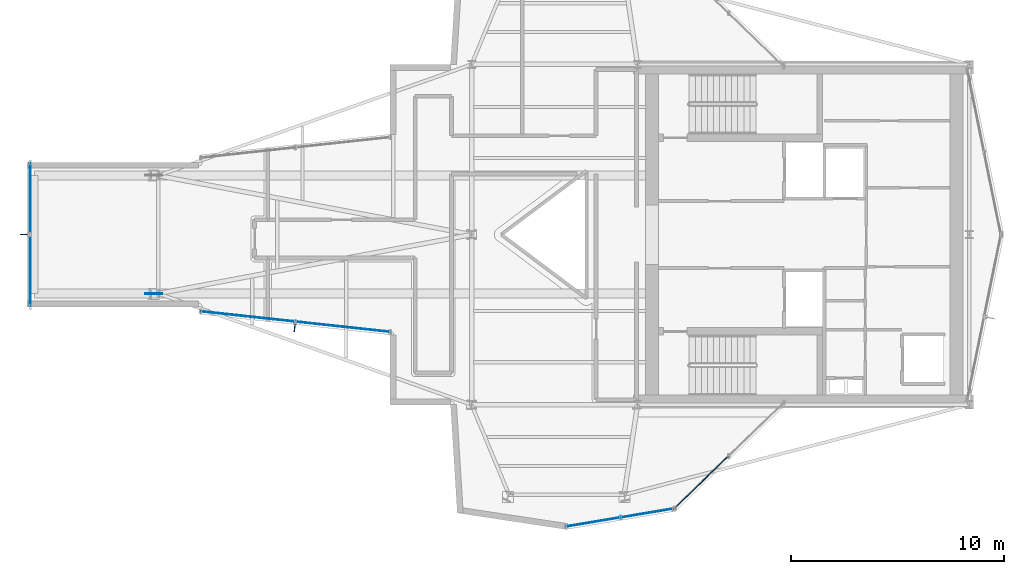
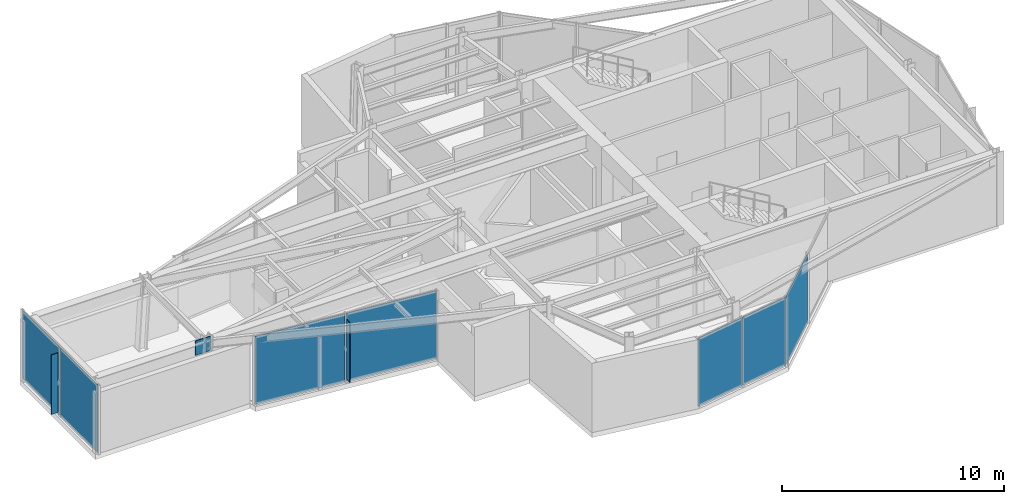
# One storey, part 10 of 18: 10 plates, 4 elements without a shape of their own.
"""IFC4 building model written with IfcOpenShell, lengths in metres."""

from ifc_helpers import new_model, si_unit, direction, frame, origin, origin_2d, place, context, subcontext, project, spatial, rectangle, extrude, material, layer, layer_set, type_object, element, aggregate, save


model = new_model("IFC4")

# Units and contexts
model_context = context("Model", 3, precision=1e-05, world=origin(), true_north=direction((0.0, 1.0)))
body_context = subcontext(model_context, "Body", "Model", "MODEL_VIEW")
ifc_project = project(units=[si_unit("LENGTHUNIT", "METRE"), si_unit("AREAUNIT", "SQUARE_METRE"), si_unit("VOLUMEUNIT", "CUBIC_METRE"), si_unit("PLANEANGLEUNIT", "RADIAN"), si_unit("MASSUNIT", "GRAM", prefix="KILO")], contexts=[model_context])

# Site, building, storey
site_placement = place(None, origin())
site = spatial("IfcSite", under=ifc_project, at=site_placement, CompositionType="ELEMENT")
building_placement = place(site_placement, origin())
building = spatial("IfcBuilding", under=site, at=building_placement, Name="Veymaron Broadcast Tower", CompositionType="ELEMENT")
storey_placement = place(building_placement, frame((0.0, 0.0, 319.5)))
storey = spatial("IfcBuildingStorey", under=building, at=storey_placement, Name="L75", CompositionType="ELEMENT", Elevation=319.5)

# Curtain wall, plates
ifc_material_1 = material(Name="Anodised aluminium AA 6063-T6 and laminated low-E dark glass", Category="aluminium")
ifc_layer_1 = layer(ifc_material_1, 0.179931640625)
ifc_layer_set_1 = layer_set([ifc_layer_1], Name="Anodised aluminium AA 6063-T6 and laminated low-E dark glass")
curtain_wall_type = type_object("IfcCurtainWallType", Name="CW-SYS-07", PredefinedType="NOTDEFINED", material=ifc_layer_set_1)
curtain_wall_1_placement = place(storey_placement, origin())
curtain_wall_1 = element("IfcCurtainWall", 1, at=curtain_wall_1_placement, inside=storey, type_object=curtain_wall_type, Name="L75 dark-glass curtain wall CW-L75-E2-1", PredefinedType="NOTDEFINED")
ifc_material_2 = material(Name="Triple-laminated solar-control dark glass IGU 36 mm", Category="glass")
ifc_layer_2 = layer(ifc_material_2, 0.035888671875)
ifc_layer_set_2 = layer_set([ifc_layer_2], Name="Triple-laminated solar-control dark glass IGU 36 mm")
plate_type_1 = type_object("IfcPlateType", Name="CW-PNL-01", PredefinedType="CURTAIN_PANEL", material=ifc_layer_set_2)
plate_1_placement = place(storey_placement, frame((20.684814453125, 20.14892578125, 0.0400390625), z_axis=(0.0, 0.0, 1.0), x_axis=(0.9941735615, -0.107791138848, 0.0)))
plate_1 = element("IfcPlate", 2, at=plate_1_placement, type_object=plate_type_1, Name="CW-L75-E2-1 unitised curtain panel 0", PredefinedType="CURTAIN_PANEL", context=body_context, shape_type="SweptSolid", body=[
    extrude(rectangle(XDim=4.42529296875, YDim=0.035888671875, at=origin_2d()), origin(), (0.0, 0.0, 1.0), 3.72998046875),
])
plate_2_placement = place(storey_placement, frame((25.143798828125, 19.665283203125, 0.0400390625), z_axis=(0.0, 0.0, 1.0), x_axis=(0.9941735615, -0.107791138848, 0.0)))
plate_2 = element("IfcPlate", 3, at=plate_2_placement, type_object=plate_type_1, Name="CW-L75-E2-1 unitised curtain panel 1", PredefinedType="CURTAIN_PANEL", context=body_context, shape_type="SweptSolid", body=[
    extrude(rectangle(XDim=4.42529296875, YDim=0.035888671875, at=origin_2d()), origin(), (0.0, 0.0, 1.0), 3.72998046875),
])
aggregate(curtain_wall_1, [plate_1, plate_2])

curtain_wall_2_placement = place(storey_placement, origin())
curtain_wall_2 = element("IfcCurtainWall", 4, at=curtain_wall_2_placement, inside=storey, type_object=curtain_wall_type, Name="L75 dark-glass curtain wall CW-L75-E7-1", PredefinedType="NOTDEFINED")
plate_3_placement = place(storey_placement, frame((36.916259765625, 10.48681640625, 0.0400390625), z_axis=(0.0, 0.0, 1.0), x_axis=(0.986434987778, 0.164152413592, 0.0)))
plate_3 = element("IfcPlate", 5, at=plate_3_placement, type_object=plate_type_1, Name="CW-L75-E7-1 unitised curtain panel 0", PredefinedType="CURTAIN_PANEL", context=body_context, shape_type="SweptSolid", body=[
    extrude(rectangle(XDim=2.5400390625, YDim=0.035888671875, at=origin_2d()), origin(), (0.0, 0.0, 1.0), 3.72998046875),
])
plate_4_placement = place(storey_placement, frame((39.481201171875, 10.91357421875, 0.0400390625), z_axis=(0.0, 0.0, 1.0), x_axis=(0.986434987778, 0.164152413592, 0.0)))
plate_4 = element("IfcPlate", 6, at=plate_4_placement, type_object=plate_type_1, Name="CW-L75-E7-1 unitised curtain panel 1", PredefinedType="CURTAIN_PANEL", context=body_context, shape_type="SweptSolid", body=[
    extrude(rectangle(XDim=2.5400390625, YDim=0.035888671875, at=origin_2d()), origin(), (0.0, 0.0, 1.0), 3.72998046875),
])
aggregate(curtain_wall_2, [plate_3, plate_4])

# Curtain wall, plate
curtain_wall_3_placement = place(storey_placement, origin())
curtain_wall_3 = element("IfcCurtainWall", 7, at=curtain_wall_3_placement, inside=storey, type_object=curtain_wall_type, Name="L75 dark-glass curtain wall CW-L75-E8-1", PredefinedType="NOTDEFINED")
plate_5_placement = place(storey_placement, frame((41.985595703125, 12.34228515625, 0.0400390625), z_axis=(0.0, 0.0, 1.0), x_axis=(0.719097275004, 0.694909425092, 0.0)))
plate_5 = element("IfcPlate", 8, at=plate_5_placement, type_object=plate_type_1, Name="CW-L75-E8-1 unitised curtain panel 0", PredefinedType="CURTAIN_PANEL", context=body_context, shape_type="SweptSolid", body=[
    extrude(rectangle(XDim=3.545654296875, YDim=0.035888671875, at=origin_2d()), origin(), (0.0, 0.0, 1.0), 3.72998046875),
])
aggregate(curtain_wall_3, [plate_5])

# Curtain wall, plates
curtain_wall_4_placement = place(storey_placement, origin())
curtain_wall_4 = element("IfcCurtainWall", 9, at=curtain_wall_4_placement, inside=storey, type_object=curtain_wall_type, Name="L75 dark-glass curtain wall CW-L75-E22-1", PredefinedType="NOTDEFINED")
plate_6_placement = place(storey_placement, frame((10.44873046875, 25.699951171875, 0.0400390625), z_axis=(0.0, 0.0, 1.0), x_axis=(0.0, -1.0, 0.0)))
plate_6 = element("IfcPlate", 10, at=plate_6_placement, type_object=plate_type_1, Name="CW-L75-E22-1 unitised curtain panel 0", PredefinedType="CURTAIN_PANEL", context=body_context, shape_type="SweptSolid", body=[
    extrude(rectangle(XDim=3.340087890625, YDim=0.035888671875, at=origin_2d()), origin(), (0.0, 0.0, 1.0), 3.72998046875),
])
plate_7_placement = place(storey_placement, frame((10.44873046875, 22.300048828125, 0.0400390625), z_axis=(0.0, 0.0, 1.0), x_axis=(0.0, -1.0, 0.0)))
plate_7 = element("IfcPlate", 11, at=plate_7_placement, type_object=plate_type_1, Name="CW-L75-E22-1 unitised curtain panel 1", PredefinedType="CURTAIN_PANEL", context=body_context, shape_type="SweptSolid", body=[
    extrude(rectangle(XDim=3.340087890625, YDim=0.035888671875, at=origin_2d()), origin(), (0.0, 0.0, 1.0), 3.72998046875),
])
aggregate(curtain_wall_4, [plate_6, plate_7])

# Plates
ifc_material_3 = material(Name="Dark-anodised aluminium AA 6061-T6", Category="aluminium")
ifc_layer_3 = layer(ifc_material_3, 0.030029296875)
ifc_layer_set_3 = layer_set([ifc_layer_3], Name="Dark-anodised aluminium AA 6061-T6")
plate_type_2 = type_object("IfcPlateType", Name="FIN-CHEV-02", PredefinedType="USERDEFINED", material=ifc_layer_set_3)
for number, where, z_axis, x_axis, name in (
    (12, (22.88134765625, 19.60400390625, 0.2666015625), (0.0, 0.0, 1.0), (-0.107791138848, -0.9941735615, 0.0), "CW-L75-E2-1 chevron fin 1"),
    (13, (10.143798828125, 24.0, 0.2666015625), (0.0, 0.0, 1.0), (-1.0, 0.0, 0.0), "CW-L75-E22-1 chevron fin 1"),
):
    element("IfcPlate", number, at=place(storey_placement, frame(where, z_axis=z_axis, x_axis=x_axis)), inside=storey, type_object=plate_type_2, Name=name, ObjectType="FIN", PredefinedType="USERDEFINED", context=body_context, shape_type="SweptSolid", body=[
        extrude(rectangle(XDim=0.35009765625, YDim=0.034912109375, at=origin_2d()), origin(), (0.0, 0.0, 1.0), 3.276611328125),
    ])
ifc_material_4 = material(Name="Structural steel ASTM A913 Gr 65", Category="steel")
ifc_layer_4 = layer(ifc_material_4, 0.044921875)
ifc_layer_set_4 = layer_set([ifc_layer_4], Name="Structural steel ASTM A913 Gr 65")
plate_type_3 = type_object("IfcPlateType", Name="PLT-NODE-ON1", PredefinedType="SHEET", material=ifc_layer_set_4)
plate_8_placement = place(storey_placement, frame((16.24560546875, 21.2119140625, 3.14990234375), z_axis=(0.0, 0.0, 1.0), x_axis=(1.0, 0.0, 0.0)))
element("IfcPlate", 14, at=plate_8_placement, inside=storey, type_object=plate_type_3, Name="L75 Cantilever column gusset node ON1 S", PredefinedType="SHEET", context=body_context, shape_type="SweptSolid", body=[
    extrude(rectangle(XDim=0.800048828125, YDim=0.044921875, at=origin_2d()), origin(), (0.0, 0.0, 1.0), 0.800048828125),
])

save(model, "model.ifc")
